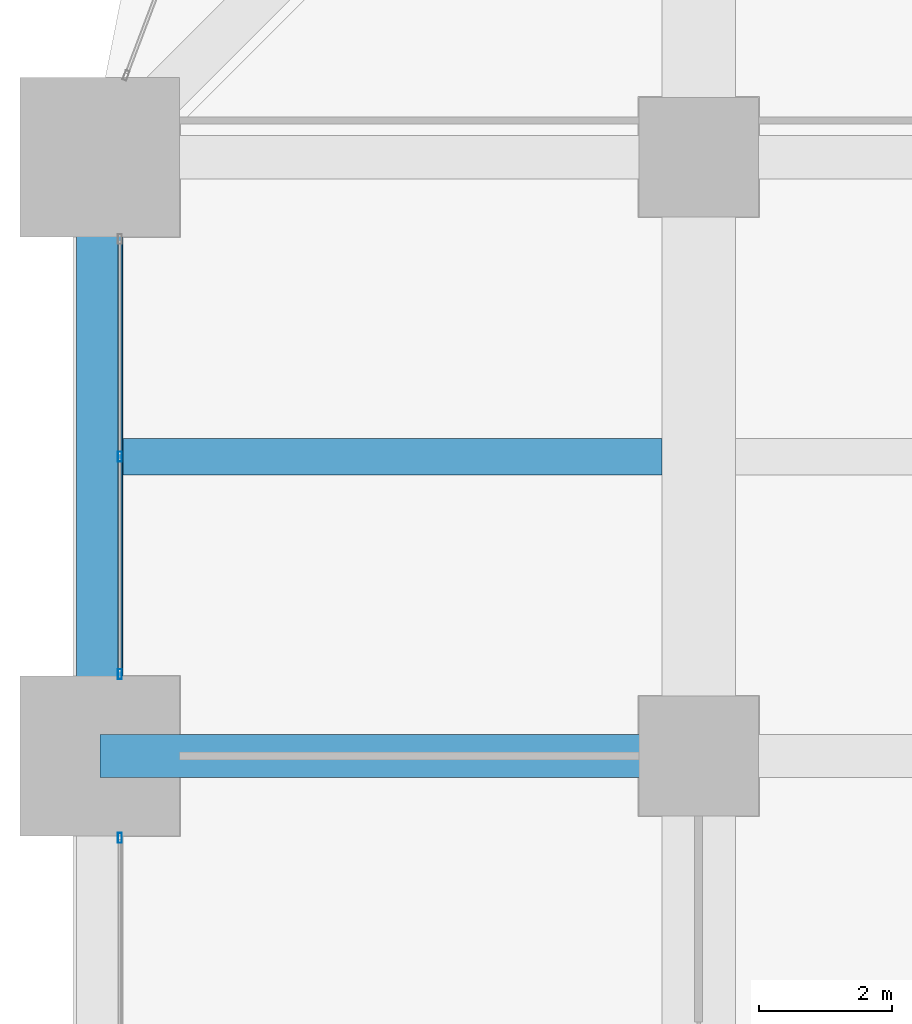
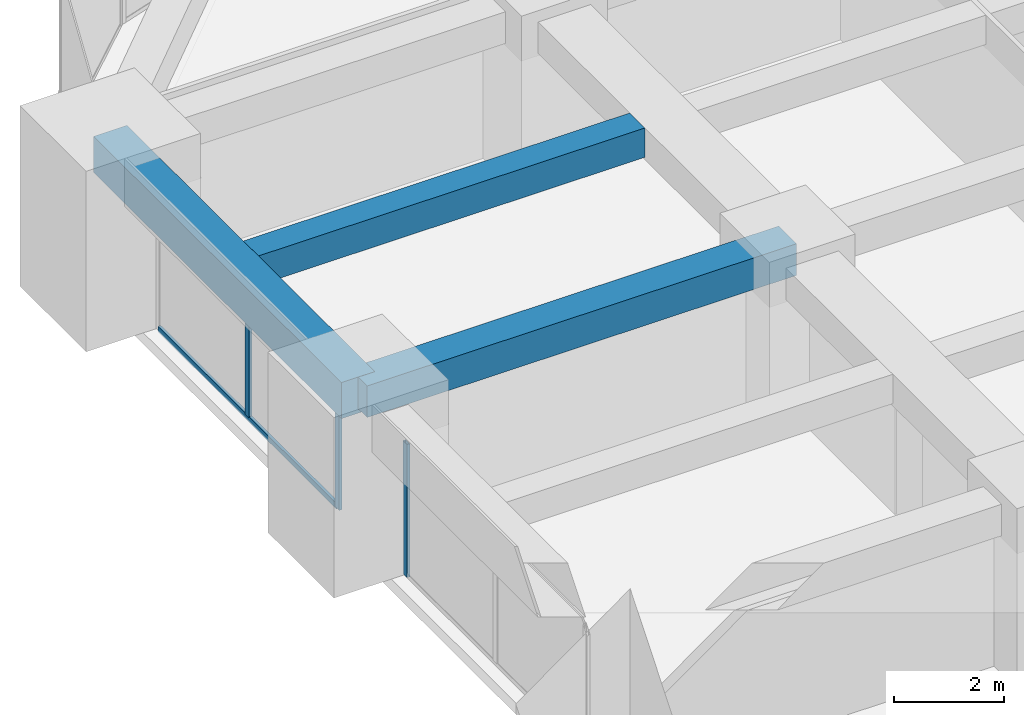
# One storey, part 11 of 40: 4 members, 3 beams, 2 elements without a shape of their own.
"""IFC4 building model written with IfcOpenShell, lengths in metres."""

from ifc_helpers import new_model, si_unit, direction, frame, origin, origin_2d, place, context, subcontext, project, spatial, rectangle, hollow_rectangle, extrude, material, material_profile, profile_set, type_object, element, aggregate, save


model = new_model("IFC4")

# Units and contexts
model_context = context("Model", 3, precision=1e-05, world=origin(), true_north=direction((0.0, 1.0)))
body_context = subcontext(model_context, "Body", "Model", "MODEL_VIEW")
ifc_project = project(units=[si_unit("LENGTHUNIT", "METRE"), si_unit("AREAUNIT", "SQUARE_METRE"), si_unit("VOLUMEUNIT", "CUBIC_METRE"), si_unit("PLANEANGLEUNIT", "RADIAN"), si_unit("MASSUNIT", "GRAM", prefix="KILO")], contexts=[model_context])

# Site, building, storey
site_placement = place(None, origin())
site = spatial("IfcSite", under=ifc_project, at=site_placement, CompositionType="ELEMENT")
building_placement = place(site_placement, origin())
building = spatial("IfcBuilding", under=site, at=building_placement, Name="Zorevar Civic Tower", CompositionType="ELEMENT")
storey_placement = place(building_placement, frame((0.0, 0.0, 129.0)))
storey = spatial("IfcBuildingStorey", under=building, at=storey_placement, Name="L31", CompositionType="ELEMENT", Elevation=129.0)

# Beams
ifc_material_1 = material(Name="Concrete C50/60", Category="concrete")
ifc_material_profile_1 = material_profile(ifc_material_1, rectangle(XDim=0.550048828125, YDim=0.64990234375, at=origin_2d()), Name="RC 550x650")
ifc_profile_set_1 = profile_set([ifc_material_profile_1], Name="Concrete C50/60")
beam_type_1 = type_object("IfcBeamType", Name="Beam RC 550x650", PredefinedType="BEAM", material=ifc_profile_set_1)
beam_1_placement = place(storey_placement, frame((0.35009765625, 31.5, 3.425048828125), z_axis=(1.0, 0.0, 0.0), x_axis=(0.0, 1.0, 0.0)))
element("IfcBeam", 1, at=beam_1_placement, inside=storey, type_object=beam_type_1, Name="Secondary beam L32", PredefinedType="BEAM", context=body_context, shape_type="SweptSolid", body=[
    extrude(rectangle(XDim=0.550048828125, YDim=0.64990234375, at=origin_2d()), origin(), (0.0, 0.0, 1.0), 8.099853515625),
])
ifc_material_2 = material(Name="Concrete C50/60", Category="concrete")
ifc_material_profile_2 = material_profile(ifc_material_2, rectangle(XDim=0.64990234375, YDim=0.699951171875, at=origin_2d()), Name="RC 650x700")
ifc_profile_set_2 = profile_set([ifc_material_profile_2], Name="Concrete C50/60")
beam_type_2 = type_object("IfcBeamType", Name="Beam RC 650x700", PredefinedType="BEAM", material=ifc_profile_set_2)
beam_2_placement = place(storey_placement, frame((0.0, 27.0, 3.39990234375), z_axis=(1.0, 0.0, 0.0), x_axis=(0.0, 1.0, 0.0)))
element("IfcBeam", 2, at=beam_2_placement, inside=storey, type_object=beam_type_2, Name="Girder L32", PredefinedType="BEAM", context=body_context, shape_type="SweptSolid", body=[
    extrude(rectangle(XDim=0.64990234375, YDim=0.699951171875, at=origin_2d()), origin(), (0.0, 0.0, 1.0), 9.0),
])

# Curtain wall, member
ifc_material_3 = material(Name="Dark grey solar-control glass in black aluminium frame", Category="aluminium")
curtain_wall_type = type_object("IfcCurtainWallType", Name="Curtain wall CW3 mid zone", PredefinedType="NOTDEFINED", material=ifc_material_3)
curtain_wall_1_placement = place(storey_placement, origin())
curtain_wall_1 = element("IfcCurtainWall", 3, at=curtain_wall_1_placement, inside=storey, type_object=curtain_wall_type, Name="CW3 L31", PredefinedType="NOTDEFINED")
ifc_material_4 = material(Name="Aluminium, black anodised", Category="aluminium")
ifc_material_profile_3 = material_profile(ifc_material_4, hollow_rectangle(XDim=0.06005859375, YDim=0.14990234375, WallThickness=0.00390625, at=origin_2d()), Name="AL 150x60x4")
ifc_profile_set_3 = profile_set([ifc_material_profile_3], Name="Aluminium, black anodised")
member_type_1 = type_object("IfcMemberType", Name="CW3 mullion AL 150x60x4", PredefinedType="MULLION", material=ifc_profile_set_3)
member_1_placement = place(storey_placement, frame((0.300048828125, 25.77001953125, 0.0), z_axis=(0.0, 0.0, 1.0), x_axis=(-1.0, 0.0, 0.0)))
member_1 = element("IfcMember", 4, at=member_1_placement, type_object=member_type_1, Name="CW3 mullion 3", PredefinedType="MULLION", context=body_context, shape_type="SweptSolid", body=[
    extrude(hollow_rectangle(XDim=0.06005859375, YDim=0.14990234375, WallThickness=0.00390625, at=origin_2d()), origin(), (0.0, 0.0, 1.0), 2.949951171875),
])
aggregate(curtain_wall_1, [member_1])

# Curtain wall, members
curtain_wall_2_placement = place(storey_placement, origin())
curtain_wall_2 = element("IfcCurtainWall", 5, at=curtain_wall_2_placement, inside=storey, type_object=curtain_wall_type, Name="CW3 L31", PredefinedType="NOTDEFINED")
member_2_placement = place(storey_placement, frame((0.300048828125, 28.22998046875, 0.0), z_axis=(0.0, 0.0, 1.0), x_axis=(-1.0, 0.0, 0.0)))
member_2 = element("IfcMember", 6, at=member_2_placement, type_object=member_type_1, Name="CW3 mullion 1", PredefinedType="MULLION", context=body_context, shape_type="SweptSolid", body=[
    extrude(hollow_rectangle(XDim=0.06005859375, YDim=0.14990234375, WallThickness=0.00390625, at=origin_2d()), origin(), (0.0, 0.0, 1.0), 2.949951171875),
])
member_3_placement = place(storey_placement, frame((0.300048828125, 31.5, 0.06005859375), z_axis=(0.0, 0.0, 1.0), x_axis=(-1.0, 0.0, 0.0)))
member_3 = element("IfcMember", 7, at=member_3_placement, type_object=member_type_1, Name="CW3 mullion 2", PredefinedType="MULLION", context=body_context, shape_type="SweptSolid", body=[
    extrude(hollow_rectangle(XDim=0.06005859375, YDim=0.14990234375, WallThickness=0.00390625, at=origin_2d()), origin(), (0.0, 0.0, 1.0), 2.889892578125),
])
ifc_material_5 = material(Name="Aluminium, black anodised", Category="aluminium")
ifc_material_profile_4 = material_profile(ifc_material_5, hollow_rectangle(XDim=0.06005859375, YDim=0.1201171875, WallThickness=0.0029296875, at=origin_2d()), Name="AL 120x60x3")
ifc_profile_set_4 = profile_set([ifc_material_profile_4], Name="Aluminium, black anodised")
member_type_2 = type_object("IfcMemberType", Name="CW3 transom AL 120x60x3", PredefinedType="USERDEFINED", material=ifc_profile_set_4)
member_4_placement = place(storey_placement, frame((0.300048828125, 28.260009765625, 0.030029296875), z_axis=(0.0, 1.0, 0.0), x_axis=(-1.0, 0.0, 0.0)))
member_4 = element("IfcMember", 8, at=member_4_placement, type_object=member_type_2, Name="CW3 sill transom", ObjectType="TRANSOM", PredefinedType="USERDEFINED", context=body_context, shape_type="SweptSolid", body=[
    extrude(hollow_rectangle(XDim=0.06005859375, YDim=0.1201171875, WallThickness=0.0029296875, at=origin_2d()), origin(), (0.0, 0.0, 1.0), 6.47998046875),
])
aggregate(curtain_wall_2, [member_2, member_3, member_4])

# Beam
ifc_material_6 = material(Name="Concrete C50/60", Category="concrete")
ifc_material_profile_5 = material_profile(ifc_material_6, rectangle(XDim=0.699951171875, YDim=0.800048828125, at=origin_2d()), Name="RC 700x800")
ifc_profile_set_5 = profile_set([ifc_material_profile_5], Name="Concrete C50/60")
beam_type_3 = type_object("IfcBeamType", Name="Edge beam RC 700x800", PredefinedType="SPANDREL", material=ifc_profile_set_5)
beam_3_placement = place(storey_placement, frame((0.0, 27.0, 3.35009765625), z_axis=(0.0, 1.0, 0.0), x_axis=(-1.0, 0.0, 0.0)))
element("IfcBeam", 9, at=beam_3_placement, inside=storey, type_object=beam_type_3, Name="Edge beam L32", PredefinedType="SPANDREL", context=body_context, shape_type="SweptSolid", body=[
    extrude(rectangle(XDim=0.699951171875, YDim=0.800048828125, at=origin_2d()), origin(), (0.0, 0.0, 1.0), 9.0),
])

save(model, "model.ifc")
